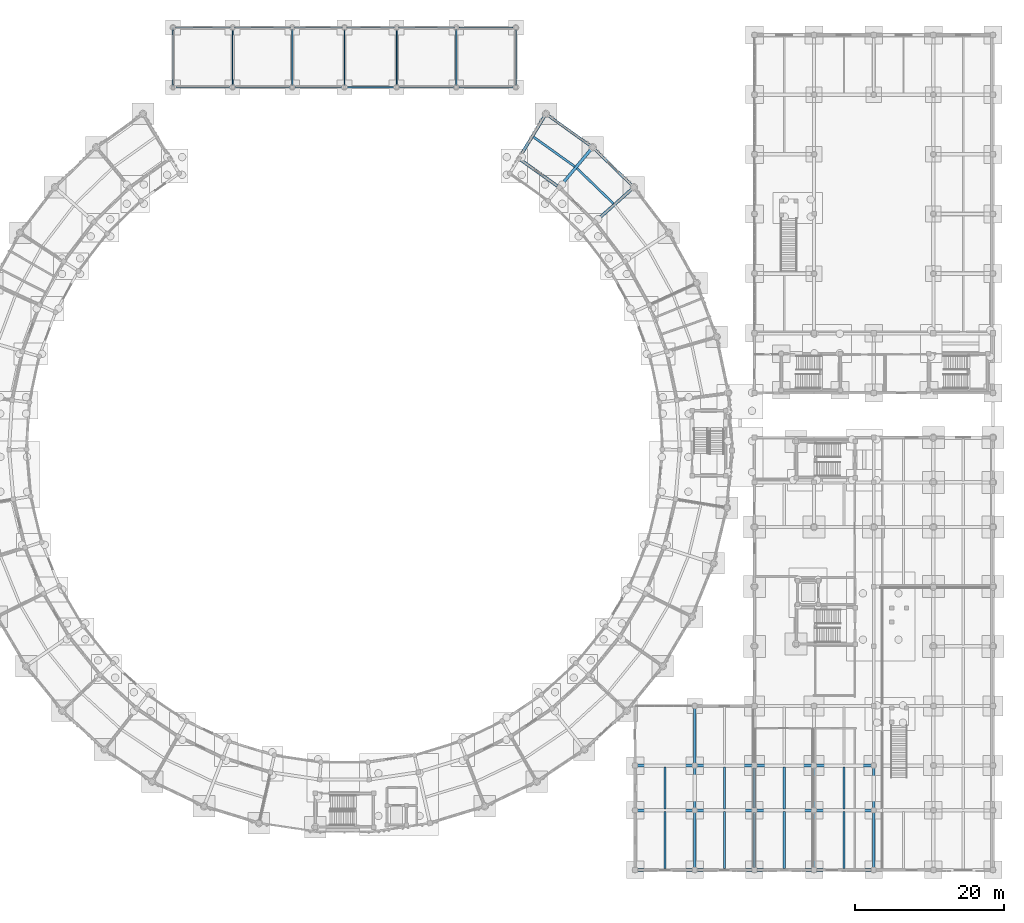
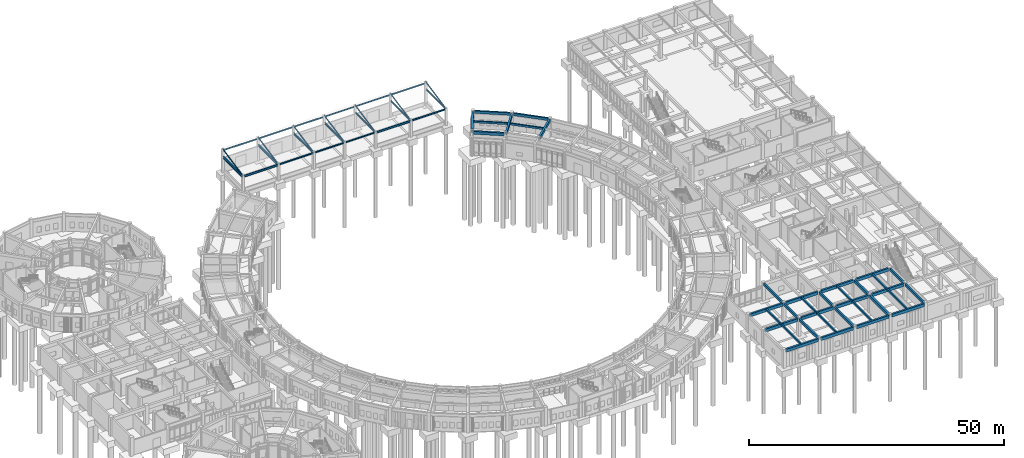
# One storey, part 82 of 153: 56 beams, 7 members.
"""IFC4 building model written with IfcOpenShell, lengths in metres."""

import ifcopenshell
import ifcopenshell.guid

model = None  # the IFC model being written
_history = None  # IfcOwnerHistory: only IFC2X3 demands one
_inside = {}  # id of a spatial element -> (the spatial element, [elements in it])
_under = {}  # id of a project, library or spatial element -> (it, [spatial elements below it])
_declared = {}  # id of a project -> (the project, [libraries it declares])
_typed = {}  # id of a type object -> (the type object, [elements of that type])
_made_of = {}  # id of a material, layer set ... -> (it, [elements and type objects made of it])


def new_model(schema):
    """Start an empty IFC model of exactly this schema.

    Asked for "IFC4X3", IfcOpenShell would pick the latest addendum, in which some entities
    have other attributes; the version numbers below select the first issue.
    IFC2X3 requires an IfcOwnerHistory on every rooted entity: one is made here for all.
    """
    global model, _history
    if schema == "IFC4X3":
        model = ifcopenshell.file(schema_version=(4, 3, 0, 0))
    else:
        model = ifcopenshell.file(schema=schema)
    _inside.clear()
    _under.clear()
    _declared.clear()
    _typed.clear()
    _made_of.clear()
    _history = None
    if model.schema == "IFC2X3":
        org = make("IfcOrganization", Name="unknown")
        user = make(
            "IfcPersonAndOrganization",
            ThePerson=make("IfcPerson", FamilyName="unknown"),
            TheOrganization=org,
        )
        app = make(
            "IfcApplication",
            ApplicationDeveloper=org,
            Version="unknown",
            ApplicationFullName="unknown",
            ApplicationIdentifier="unknown",
        )
        _history = make(
            "IfcOwnerHistory",
            OwningUser=user,
            OwningApplication=app,
            ChangeAction="ADDED",
            CreationDate=0,
        )
    return model


def make(cls, **values):
    """One entity of the class cls with the attributes given. An attribute that is None is left unset."""
    return model.create_entity(
        cls, **{name: value for name, value in values.items() if value is not None}
    )


def rooted(cls, **values):
    """An entity with a GlobalId (a new one), such as an element, a storey or a relation."""
    return make(cls, GlobalId=ifcopenshell.guid.new(), OwnerHistory=_history, **values)


def si_unit(unit_type, name, prefix=None):
    """IfcSIUnit, for example si_unit("LENGTHUNIT", "METRE", prefix="MILLI")."""
    return make("IfcSIUnit", UnitType=unit_type, Prefix=prefix, Name=name)


def assignment(units):
    """IfcUnitAssignment: the units of a project."""
    return None if units is None else make("IfcUnitAssignment", Units=units)


def point(xyz):
    """IfcCartesianPoint."""
    return None if xyz is None else make("IfcCartesianPoint", Coordinates=xyz)


def direction(xyz):
    """IfcDirection."""
    return None if xyz is None else make("IfcDirection", DirectionRatios=xyz)


def frame(location, z_axis=None, x_axis=None):
    """IfcAxis2Placement3D, a coordinate frame: its origin and axes. An axis left out is left unset."""
    return make(
        "IfcAxis2Placement3D",
        Location=point(location),
        Axis=direction(z_axis),
        RefDirection=direction(x_axis),
    )


def frame_2d(location, x_axis=None):
    """IfcAxis2Placement2D, a coordinate frame in the plane: its origin and x axis."""
    return make(
        "IfcAxis2Placement2D", Location=point(location), RefDirection=direction(x_axis)
    )


def origin():
    """The frame at (0, 0, 0) with its axes left unset."""
    return frame((0.0, 0.0, 0.0))


def origin_2d():
    """The frame at (0, 0) in the plane with its x axis left unset."""
    return frame_2d((0.0, 0.0))


def place(relative_to, where):
    """IfcLocalPlacement: puts the frame where relative to a parent placement (None: the world)."""
    return make(
        "IfcLocalPlacement", PlacementRelTo=relative_to, RelativePlacement=where
    )


def context(
    kind, dimensions, precision=None, world=None, true_north=None, identifier=None
):
    """IfcGeometricRepresentationContext, for example the 3D "Model" context."""
    return make(
        "IfcGeometricRepresentationContext",
        ContextIdentifier=identifier,
        ContextType=kind,
        CoordinateSpaceDimension=dimensions,
        Precision=precision,
        WorldCoordinateSystem=world,
        TrueNorth=true_north,
    )


def subcontext(parent, identifier, kind, view, scale=None):
    """IfcGeometricRepresentationSubContext, for example "Body" below "Model"."""
    return make(
        "IfcGeometricRepresentationSubContext",
        ContextIdentifier=identifier,
        ContextType=kind,
        ParentContext=parent,
        TargetScale=scale,
        TargetView=view,
    )


def project(units=None, contexts=None):
    """IfcProject with its units and contexts."""
    return rooted(
        "IfcProject",
        Name="project",
        RepresentationContexts=contexts,
        UnitsInContext=assignment(units),
    )


def spatial(cls, under=None, at=None, **own):
    """A site, building, storey or space (cls), placed at a placement, below another one or the project."""
    s = rooted(cls, ObjectPlacement=at, **own)
    if under is not None:
        _under.setdefault(under.id(), (under, []))[1].append(s)
    return s


def profile(cls, at=None, kind="AREA", **sizes):
    """A parametric profile (cls). Its sizes go by their IFC names, for example OverallWidth=200.0."""
    return make(cls, ProfileType=kind, Position=at, **sizes)


def rectangle(**sizes):
    """IfcRectangleProfileDef."""
    return profile("IfcRectangleProfileDef", **sizes)


def i_section(**sizes):
    """IfcIShapeProfileDef."""
    return profile("IfcIShapeProfileDef", **sizes)


def extrude(swept, where, along, depth):
    """IfcExtrudedAreaSolid: the profile swept, set in the frame where, extruded along a direction by depth."""
    return make(
        "IfcExtrudedAreaSolid",
        SweptArea=swept,
        Position=where,
        ExtrudedDirection=direction(along),
        Depth=depth,
    )


def shape(context_of_items, identifier, shape_type, items):
    """IfcShapeRepresentation: the items that make up one representation, for example the "Body"."""
    return make(
        "IfcShapeRepresentation",
        ContextOfItems=context_of_items,
        RepresentationIdentifier=identifier,
        RepresentationType=shape_type,
        Items=items,
    )


def material(Name=None, Category=None):
    """IfcMaterial."""
    return make("IfcMaterial", Name=Name, Category=Category)


def material_profile(
    of_material, cross_section, Name=None, Category=None, Priority=None
):
    """IfcMaterialProfile: a cross section and its material."""
    return make(
        "IfcMaterialProfile",
        Name=Name,
        Material=of_material,
        Profile=cross_section,
        Priority=Priority,
        Category=Category,
    )


def profile_set(profiles, Name=None, composite=None):
    """IfcMaterialProfileSet."""
    return make(
        "IfcMaterialProfileSet",
        Name=Name,
        MaterialProfiles=profiles,
        CompositeProfile=composite,
    )


def made_of(thing, what):
    """Note that an element or type object is made of a material, layer set ...; save() writes the relation."""
    if what is not None:
        _made_of.setdefault(what.id(), (what, []))[1].append(thing)
    return thing


def type_object(cls, material=None, **own):
    """A type object (cls), such as IfcWallType, which elements share."""
    return made_of(rooted(cls, **own), material)


def element(
    cls,
    number,
    at=None,
    inside=None,
    cuts=None,
    type_object=None,
    material=None,
    context=None,
    identifier="Body",
    shape_type=None,
    held_by="IfcProductDefinitionShape",
    body=None,
    shapes=None,
    **own,
):
    """One element of the class cls, such as IfcWall. Its Tag is "e" and its number.

    at: its placement. inside: the storey or other place that contains it. cuts: it is an
    opening in that element (IfcRelVoidsElement). A single representation is given by context,
    identifier, shape_type and body (its items); several are given by shapes. held_by: the class
    of the entity that holds the representations. save() writes the other relations.
    """
    e = rooted(cls, Tag="e%d" % number, ObjectPlacement=at, **own)
    if body is not None:
        shapes = [shape(context, identifier, shape_type, body)]
    if shapes is not None:
        e.Representation = make(held_by, Representations=shapes)
    if inside is not None:
        _inside.setdefault(inside.id(), (inside, []))[1].append(e)
    if cuts is not None:
        rooted(
            "IfcRelVoidsElement", RelatingBuildingElement=cuts, RelatedOpeningElement=e
        )
    if type_object is not None:
        _typed.setdefault(type_object.id(), (type_object, []))[1].append(e)
    return made_of(e, material)


def aggregate(whole, parts):
    """IfcRelAggregates: a whole, such as a stair, and the parts it consists of."""
    return rooted("IfcRelAggregates", RelatingObject=whole, RelatedObjects=parts)


def save(model, path):
    """Write the relations noted so far, then the file.

    IfcRelAggregates (storeys below a building ...), IfcRelContainedInSpatialStructure (elements
    in a storey), IfcRelDefinesByType, IfcRelAssociatesMaterial and IfcRelDeclares: one each for
    every whole, place, type object, material and project.
    """
    for whole, parts in _under.values():
        aggregate(whole, parts)
    for where, things in _inside.values():
        rooted(
            "IfcRelContainedInSpatialStructure",
            RelatedElements=things,
            RelatingStructure=where,
        )
    for kind, things in _typed.values():
        rooted("IfcRelDefinesByType", RelatedObjects=things, RelatingType=kind)
    for what, things in _made_of.values():
        rooted("IfcRelAssociatesMaterial", RelatedObjects=things, RelatingMaterial=what)
    for by, libraries in _declared.values():
        rooted("IfcRelDeclares", RelatingContext=by, RelatedDefinitions=libraries)
    model.write(path)


model = new_model("IFC4")

# Units and contexts
model_context = context("Model", 3, precision=1e-05, world=origin(), true_north=direction((0.0, 1.0)))
body_context = subcontext(model_context, "Body", "Model", "MODEL_VIEW")
ifc_project = project(units=[si_unit("LENGTHUNIT", "METRE"), si_unit("AREAUNIT", "SQUARE_METRE"), si_unit("VOLUMEUNIT", "CUBIC_METRE"), si_unit("PLANEANGLEUNIT", "RADIAN"), si_unit("MASSUNIT", "GRAM", prefix="KILO")], contexts=[model_context])

# Site, building, storey
site_placement = place(None, origin())
site = spatial("IfcSite", under=ifc_project, at=site_placement, CompositionType="ELEMENT")
building_placement = place(site_placement, origin())
building = spatial("IfcBuilding", under=site, at=building_placement, Name="Celadon Cloister-Ring School", CompositionType="ELEMENT")
storey_placement = place(building_placement, origin())
storey = spatial("IfcBuildingStorey", under=building, at=storey_placement, Name="L00", CompositionType="ELEMENT", Elevation=0.0)

# Beams
ifc_material_1 = material(Name="Concrete C35/45", Category="concrete")
ifc_material_profile_1 = material_profile(ifc_material_1, rectangle(XDim=0.39990234375, YDim=0.699951171875, at=origin_2d()), Name="RC400X700")
ifc_profile_set_1 = profile_set([ifc_material_profile_1], Name="Concrete C35/45")
beam_type_1 = type_object("IfcBeamType", Name="BT-01", PredefinedType="BEAM", material=ifc_profile_set_1)
beam_1_placement = place(storey_placement, frame((150.0, 2.300048828125, 3.929931640625), z_axis=(0.0, 1.0, 0.0), x_axis=(-1.0, 0.0, 0.0)))
element("IfcBeam", 1, at=beam_1_placement, inside=storey, type_object=beam_type_1, Name="Beam 1229", PredefinedType="BEAM", context=body_context, shape_type="SweptSolid", body=[
    extrude(rectangle(XDim=0.39990234375, YDim=0.699951171875, at=origin_2d()), origin(), (0.0, 0.0, 1.0), 7.39990234375),
])
beam_2_placement = place(storey_placement, frame((150.0, 10.300048828125, 3.929931640625), z_axis=(0.0, 1.0, 0.0), x_axis=(-1.0, 0.0, 0.0)))
element("IfcBeam", 2, at=beam_2_placement, inside=storey, type_object=beam_type_1, Name="Beam 1230", PredefinedType="BEAM", context=body_context, shape_type="SweptSolid", body=[
    extrude(rectangle(XDim=0.39990234375, YDim=0.699951171875, at=origin_2d()), origin(), (0.0, 0.0, 1.0), 5.39990234375),
])
ifc_material_2 = material(Name="Concrete C35/45", Category="concrete")
ifc_material_profile_2 = material_profile(ifc_material_2, rectangle(XDim=0.35009765625, YDim=0.60009765625, at=origin_2d()), Name="RC350X600")
ifc_profile_set_2 = profile_set([ifc_material_profile_2], Name="Concrete C35/45")
beam_type_2 = type_object("IfcBeamType", Name="BT-02", PredefinedType="BEAM", material=ifc_profile_set_2)
beam_3_placement = place(storey_placement, frame((134.0, 2.300048828125, 3.97998046875), z_axis=(0.0, 1.0, 0.0), x_axis=(-1.0, 0.0, 0.0)))
element("IfcBeam", 3, at=beam_3_placement, inside=storey, type_object=beam_type_2, Name="Beam 1218", PredefinedType="BEAM", context=body_context, shape_type="SweptSolid", body=[
    extrude(rectangle(XDim=0.35009765625, YDim=0.60009765625, at=origin_2d()), origin(), (0.0, 0.0, 1.0), 7.39990234375),
])
beam_4_placement = place(storey_placement, frame((134.0, 10.300048828125, 3.97998046875), z_axis=(0.0, 1.0, 0.0), x_axis=(-1.0, 0.0, 0.0)))
element("IfcBeam", 4, at=beam_4_placement, inside=storey, type_object=beam_type_2, Name="Beam 1219", PredefinedType="BEAM", context=body_context, shape_type="SweptSolid", body=[
    extrude(rectangle(XDim=0.35009765625, YDim=0.60009765625, at=origin_2d()), origin(), (0.0, 0.0, 1.0), 5.39990234375),
])
for number, where, z_axis, x_axis, name in (
    (5, (134.0, 16.300048828125, 3.97998046875), (0.0, 1.0, 0.0), (-1.0, 0.0, 0.0), "Beam 1220"),
    (6, (142.0, 2.300048828125, 3.97998046875), (0.0, 1.0, 0.0), (-1.0, 0.0, 0.0), "Beam 1221"),
):
    element("IfcBeam", number, at=place(storey_placement, frame(where, z_axis=z_axis, x_axis=x_axis)), inside=storey, type_object=beam_type_2, Name=name, PredefinedType="BEAM", context=body_context, shape_type="SweptSolid", body=[
        extrude(rectangle(XDim=0.35009765625, YDim=0.60009765625, at=origin_2d()), origin(), (0.0, 0.0, 1.0), 7.39990234375),
    ])
beam_5_placement = place(storey_placement, frame((142.0, 10.300048828125, 3.97998046875), z_axis=(0.0, 1.0, 0.0), x_axis=(-1.0, 0.0, 0.0)))
element("IfcBeam", 7, at=beam_5_placement, inside=storey, type_object=beam_type_2, Name="Beam 1222", PredefinedType="BEAM", context=body_context, shape_type="SweptSolid", body=[
    extrude(rectangle(XDim=0.35009765625, YDim=0.60009765625, at=origin_2d()), origin(), (0.0, 0.0, 1.0), 5.39990234375),
])
beam_6_placement = place(storey_placement, frame((158.0, 2.300048828125, 3.97998046875), z_axis=(0.0, 1.0, 0.0), x_axis=(-1.0, 0.0, 0.0)))
element("IfcBeam", 8, at=beam_6_placement, inside=storey, type_object=beam_type_2, Name="Beam 1233", PredefinedType="BEAM", context=body_context, shape_type="SweptSolid", body=[
    extrude(rectangle(XDim=0.35009765625, YDim=0.60009765625, at=origin_2d()), origin(), (0.0, 0.0, 1.0), 7.39990234375),
])
beam_7_placement = place(storey_placement, frame((158.0, 10.300048828125, 3.97998046875), z_axis=(0.0, 1.0, 0.0), x_axis=(-1.0, 0.0, 0.0)))
element("IfcBeam", 9, at=beam_7_placement, inside=storey, type_object=beam_type_2, Name="Beam 1234", PredefinedType="BEAM", context=body_context, shape_type="SweptSolid", body=[
    extrude(rectangle(XDim=0.35009765625, YDim=0.60009765625, at=origin_2d()), origin(), (0.0, 0.0, 1.0), 5.39990234375),
])
ifc_material_3 = material(Name="Structural steel S355JR", Category="steel")
ifc_material_profile_3 = material_profile(ifc_material_3, i_section(OverallWidth=0.22802734375, OverallDepth=0.60302734375, WebThickness=0.010498046875, FlangeThickness=0.014892578125, at=origin_2d()), Name="W610X101")
ifc_profile_set_3 = profile_set([ifc_material_profile_3], Name="Structural steel S355JR")
beam_type_3 = type_object("IfcBeamType", Name="BT-03", PredefinedType="BEAM", material=ifc_profile_set_3)
beam_8_placement = place(storey_placement, frame((64.0, 107.199951171875, 3.698974609375), z_axis=(0.0, 1.0, 0.0), x_axis=(-1.0, 0.0, 0.0)))
element("IfcBeam", 10, at=beam_8_placement, inside=storey, type_object=beam_type_3, Name="Beam 1704", PredefinedType="BEAM", context=body_context, shape_type="SweptSolid", body=[
    extrude(i_section(OverallWidth=0.22802734375, OverallDepth=0.60302734375, WebThickness=0.010498046875, FlangeThickness=0.014892578125, at=origin_2d()), origin(), (0.0, 0.0, 1.0), 7.550048828125),
])
ifc_material_4 = material(Name="Structural steel S355JR", Category="steel")
ifc_material_profile_4 = material_profile(ifc_material_4, i_section(OverallWidth=0.208984375, OverallDepth=0.529052734375, WebThickness=0.009765625, FlangeThickness=0.01318359375, at=origin_2d()), Name="W530X74")
ifc_profile_set_4 = profile_set([ifc_material_profile_4], Name="Structural steel S355JR")
beam_type_4 = type_object("IfcBeamType", Name="BT-04", PredefinedType="BEAM", material=ifc_profile_set_4)
beam_9_placement = place(storey_placement, frame((72.0, 107.199951171875, 3.736083984375), z_axis=(0.0, 1.0, 0.0), x_axis=(-1.0, 0.0, 0.0)))
element("IfcBeam", 11, at=beam_9_placement, inside=storey, type_object=beam_type_4, Name="Beam 1707", PredefinedType="BEAM", context=body_context, shape_type="SweptSolid", body=[
    extrude(i_section(OverallWidth=0.208984375, OverallDepth=0.529052734375, WebThickness=0.009765625, FlangeThickness=0.01318359375, at=origin_2d()), origin(), (0.0, 0.0, 1.0), 7.60009765625),
])
ifc_material_5 = material(Name="Structural steel S355JR", Category="steel")
ifc_material_profile_5 = material_profile(ifc_material_5, i_section(OverallWidth=0.18994140625, OverallDepth=0.45703125, WebThickness=0.009033203125, FlangeThickness=0.014404296875, at=origin_2d()), Name="W460X74")
ifc_profile_set_5 = profile_set([ifc_material_profile_5], Name="Structural steel S355JR")
beam_type_5 = type_object("IfcBeamType", Name="BT-05", PredefinedType="BEAM", material=ifc_profile_set_5)
beam_10_placement = place(storey_placement, frame((80.0, 107.199951171875, 3.77197265625), z_axis=(0.0, 1.0, 0.0), x_axis=(-1.0, 0.0, 0.0)))
element("IfcBeam", 12, at=beam_10_placement, inside=storey, type_object=beam_type_5, Name="Beam 1710", PredefinedType="BEAM", context=body_context, shape_type="SweptSolid", body=[
    extrude(i_section(OverallWidth=0.18994140625, OverallDepth=0.45703125, WebThickness=0.009033203125, FlangeThickness=0.014404296875, at=origin_2d()), origin(), (0.0, 0.0, 1.0), 7.60009765625),
])
ifc_material_6 = material(Name="Structural steel S355JR", Category="steel")
ifc_material_profile_6 = material_profile(ifc_material_6, i_section(OverallWidth=0.177978515625, OverallDepth=0.406982421875, WebThickness=0.0078125, FlangeThickness=0.0126953125, at=origin_2d()), Name="W410X60")
ifc_profile_set_6 = profile_set([ifc_material_profile_6], Name="Structural steel S355JR")
beam_type_6 = type_object("IfcBeamType", Name="BT-06", PredefinedType="BEAM", material=ifc_profile_set_6)
beam_11_placement = place(storey_placement, frame((87.0, 107.199951171875, 3.7958984375), z_axis=(0.0, 1.0, 0.0), x_axis=(-1.0, 0.0, 0.0)))
element("IfcBeam", 13, at=beam_11_placement, inside=storey, type_object=beam_type_6, Name="Beam 1713", PredefinedType="BEAM", context=body_context, shape_type="SweptSolid", body=[
    extrude(i_section(OverallWidth=0.177978515625, OverallDepth=0.406982421875, WebThickness=0.0078125, FlangeThickness=0.0126953125, at=origin_2d()), origin(), (0.0, 0.0, 1.0), 7.550048828125),
])
ifc_material_7 = material(Name="Structural steel S355JR", Category="steel")
ifc_material_profile_7 = material_profile(ifc_material_7, i_section(OverallWidth=0.1708984375, OverallDepth=0.35498046875, WebThickness=0.007080078125, FlangeThickness=0.01171875, at=origin_2d()), Name="W360X51")
ifc_profile_set_7 = profile_set([ifc_material_profile_7], Name="Structural steel S355JR")
beam_type_7 = type_object("IfcBeamType", Name="BT-07", PredefinedType="BEAM", material=ifc_profile_set_7)
beam_12_placement = place(storey_placement, frame((94.0, 107.199951171875, 3.822021484375), z_axis=(0.0, 1.0, 0.0), x_axis=(-1.0, 0.0, 0.0)))
element("IfcBeam", 14, at=beam_12_placement, inside=storey, type_object=beam_type_7, Name="Beam 1716", PredefinedType="BEAM", context=body_context, shape_type="SweptSolid", body=[
    extrude(i_section(OverallWidth=0.1708984375, OverallDepth=0.35498046875, WebThickness=0.007080078125, FlangeThickness=0.01171875, at=origin_2d()), origin(), (0.0, 0.0, 1.0), 7.60009765625),
])
ifc_material_8 = material(Name="Structural steel S355JR", Category="steel")
ifc_material_profile_8 = material_profile(ifc_material_8, i_section(OverallWidth=0.1669921875, OverallDepth=0.31689453125, WebThickness=0.007568359375, FlangeThickness=0.01318359375, at=origin_2d()), Name="W310X52")
ifc_profile_set_8 = profile_set([ifc_material_profile_8], Name="Structural steel S355JR")
beam_type_8 = type_object("IfcBeamType", Name="BT-08", PredefinedType="BEAM", material=ifc_profile_set_8)
beam_13_placement = place(storey_placement, frame((102.0, 107.199951171875, 3.841064453125), z_axis=(0.0, 1.0, 0.0), x_axis=(-1.0, 0.0, 0.0)))
element("IfcBeam", 15, at=beam_13_placement, inside=storey, type_object=beam_type_8, Name="Beam 1719", PredefinedType="BEAM", context=body_context, shape_type="SweptSolid", body=[
    extrude(i_section(OverallWidth=0.1669921875, OverallDepth=0.31689453125, WebThickness=0.007568359375, FlangeThickness=0.01318359375, at=origin_2d()), origin(), (0.0, 0.0, 1.0), 7.60009765625),
])
ifc_material_9 = material(Name="Structural steel S355JR", Category="steel")
ifc_material_profile_9 = material_profile(ifc_material_9, i_section(OverallWidth=0.1650390625, OverallDepth=0.31005859375, WebThickness=0.005859375, FlangeThickness=0.009765625, at=origin_2d()), Name="W310X39")
ifc_profile_set_9 = profile_set([ifc_material_profile_9], Name="Structural steel S355JR")
beam_type_9 = type_object("IfcBeamType", Name="BT-09", PredefinedType="BEAM", material=ifc_profile_set_9)
beam_14_placement = place(storey_placement, frame((110.0, 107.199951171875, 3.844970703125), z_axis=(0.0, 1.0, 0.0), x_axis=(-1.0, 0.0, 0.0)))
element("IfcBeam", 16, at=beam_14_placement, inside=storey, type_object=beam_type_9, Name="Beam 1720", PredefinedType="BEAM", context=body_context, shape_type="SweptSolid", body=[
    extrude(i_section(OverallWidth=0.1650390625, OverallDepth=0.31005859375, WebThickness=0.005859375, FlangeThickness=0.009765625, at=origin_2d()), origin(), (0.0, 0.0, 1.0), 7.550048828125),
])
ifc_material_10 = material(Name="Concrete C35/45", Category="concrete")
ifc_material_profile_10 = material_profile(ifc_material_10, rectangle(XDim=0.39990234375, YDim=0.699951171875, at=origin_2d()), Name="RC400X700")
ifc_profile_set_10 = profile_set([ifc_material_profile_10], Name="Concrete C35/45")
beam_type_10 = type_object("IfcBeamType", Name="GT-03", PredefinedType="USERDEFINED", material=ifc_profile_set_10)
beam_15_placement = place(storey_placement, frame((125.60791015625, 93.384033203125, 3.929931640625), z_axis=(-0.746775820792, -0.665075840398, 0.0), x_axis=(0.665075840398, -0.746775820792, 0.0)))
element("IfcBeam", 17, at=beam_15_placement, inside=storey, type_object=beam_type_10, Name="Beam 0063", ObjectType="GIRDER", PredefinedType="USERDEFINED", context=body_context, shape_type="SweptSolid", body=[
    extrude(rectangle(XDim=0.39990234375, YDim=0.699951171875, at=origin_2d()), origin(), (0.0, 0.0, 1.0), 6.4248046875),
])
beam_16_placement = place(storey_placement, frame((120.10498046875, 98.7109375, 3.929931640625), z_axis=(-0.640318943217, -0.768109140003, 0.0), x_axis=(0.768109140003, -0.640318943217, 0.0)))
element("IfcBeam", 18, at=beam_16_placement, inside=storey, type_object=beam_type_10, Name="Beam 0065", ObjectType="GIRDER", PredefinedType="USERDEFINED", context=body_context, shape_type="SweptSolid", body=[
    extrude(rectangle(XDim=0.39990234375, YDim=0.699951171875, at=origin_2d()), origin(), (0.0, 0.0, 1.0), 6.425048828125),
])
beam_17_placement = place(storey_placement, frame((113.875, 103.166015625, 3.929931640625), z_axis=(-0.519827607183, -0.854271185754, 0.0), x_axis=(0.854271185754, -0.519827607183, 0.0)))
element("IfcBeam", 19, at=beam_17_placement, inside=storey, type_object=beam_type_10, Name="Beam 0067", ObjectType="GIRDER", PredefinedType="USERDEFINED", context=body_context, shape_type="SweptSolid", body=[
    extrude(rectangle(XDim=0.39990234375, YDim=0.699951171875, at=origin_2d()), origin(), (0.0, 0.0, 1.0), 6.42529296875),
])
beam_18_placement = place(storey_placement, frame((115.591064453125, 93.72509765625, 3.929931640625), z_axis=(-0.813482549001, 0.581589324585, 0.0), x_axis=(-0.581589324585, -0.813482549001, 0.0)))
element("IfcBeam", 20, at=beam_18_placement, inside=storey, type_object=beam_type_10, Name="Beam 0196", ObjectType="GIRDER", PredefinedType="USERDEFINED", context=body_context, shape_type="SweptSolid", body=[
    extrude(rectangle(XDim=0.39990234375, YDim=0.699951171875, at=origin_2d()), origin(), (0.0, 0.0, 1.0), 6.11572265625),
])
for number, where, z_axis, x_axis, name in (
    (21, (126.300048828125, 2.0, 3.929931640625), (1.0, 0.0, 0.0), (0.0, 1.0, 0.0), "Beam 1181"),
    (22, (134.300048828125, 2.0, 3.929931640625), (1.0, 0.0, 0.0), (0.0, 1.0, 0.0), "Beam 1182"),
    (23, (142.300048828125, 2.0, 3.929931640625), (1.0, 0.0, 0.0), (0.0, 1.0, 0.0), "Beam 1183"),
    (24, (150.300048828125, 2.0, 3.929931640625), (1.0, 0.0, 0.0), (0.0, 1.0, 0.0), "Beam 1184"),
    (25, (126.300048828125, 10.0, 3.929931640625), (1.0, 0.0, 0.0), (0.0, 1.0, 0.0), "Beam 1187"),
    (26, (134.300048828125, 10.0, 3.929931640625), (1.0, 0.0, 0.0), (0.0, 1.0, 0.0), "Beam 1188"),
    (27, (142.300048828125, 10.0, 3.929931640625), (1.0, 0.0, 0.0), (0.0, 1.0, 0.0), "Beam 1189"),
    (28, (150.300048828125, 10.0, 3.929931640625), (1.0, 0.0, 0.0), (0.0, 1.0, 0.0), "Beam 1190"),
    (29, (126.300048828125, 16.0, 3.929931640625), (1.0, 0.0, 0.0), (0.0, 1.0, 0.0), "Beam 1193"),
    (30, (134.300048828125, 16.0, 3.929931640625), (1.0, 0.0, 0.0), (0.0, 1.0, 0.0), "Beam 1194"),
    (31, (142.300048828125, 16.0, 3.929931640625), (1.0, 0.0, 0.0), (0.0, 1.0, 0.0), "Beam 1195"),
    (32, (150.300048828125, 16.0, 3.929931640625), (1.0, 0.0, 0.0), (0.0, 1.0, 0.0), "Beam 1196"),
):
    element("IfcBeam", number, at=place(storey_placement, frame(where, z_axis=z_axis, x_axis=x_axis)), inside=storey, type_object=beam_type_10, Name=name, ObjectType="GIRDER", PredefinedType="USERDEFINED", context=body_context, shape_type="SweptSolid", body=[
        extrude(rectangle(XDim=0.39990234375, YDim=0.699951171875, at=origin_2d()), origin(), (0.0, 0.0, 1.0), 7.39990234375),
    ])
ifc_material_11 = material(Name="Concrete C35/45", Category="concrete")
ifc_material_profile_11 = material_profile(ifc_material_11, rectangle(XDim=0.300048828125, YDim=0.449951171875, at=origin_2d()), Name="RC300X450")
ifc_profile_set_11 = profile_set([ifc_material_profile_11], Name="Concrete C35/45")
beam_type_11 = type_object("IfcBeamType", Name="JT-01", PredefinedType="JOIST", material=ifc_profile_set_11)
beam_19_placement = place(storey_placement, frame((123.093017578125, 91.3779296875, 4.054931640625), z_axis=(-0.718568166396, 0.695456533683, 0.0), x_axis=(-0.695456533683, -0.718568166396, 0.0)))
element("IfcBeam", 33, at=beam_19_placement, inside=storey, type_object=beam_type_11, Name="Beam 0194", PredefinedType="JOIST", context=body_context, shape_type="SweptSolid", body=[
    extrude(rectangle(XDim=0.300048828125, YDim=0.449951171875, at=origin_2d()), origin(), (0.0, 0.0, 1.0), 6.834716796875),
])
beam_20_placement = place(storey_placement, frame((117.9140625, 96.35498046875, 4.054931640625), z_axis=(-0.813530711364, 0.581521952868, 0.0), x_axis=(-0.581521952868, -0.813530711364, 0.0)))
element("IfcBeam", 34, at=beam_20_placement, inside=storey, type_object=beam_type_11, Name="Beam 0198", PredefinedType="JOIST", context=body_context, shape_type="SweptSolid", body=[
    extrude(rectangle(XDim=0.300048828125, YDim=0.449951171875, at=origin_2d()), origin(), (0.0, 0.0, 1.0), 6.835693359375),
])
beam_21_placement = place(storey_placement, frame((130.0, 2.175048828125, 4.054931640625), z_axis=(0.0, 1.0, 0.0), x_axis=(-1.0, 0.0, 0.0)))
element("IfcBeam", 35, at=beam_21_placement, inside=storey, type_object=beam_type_11, Name="Beam 1257", PredefinedType="JOIST", context=body_context, shape_type="SweptSolid", body=[
    extrude(rectangle(XDim=0.300048828125, YDim=0.449951171875, at=origin_2d()), origin(), (0.0, 0.0, 1.0), 7.64990234375),
])
beam_22_placement = place(storey_placement, frame((130.0, 10.175048828125, 4.054931640625), z_axis=(0.0, 1.0, 0.0), x_axis=(-1.0, 0.0, 0.0)))
element("IfcBeam", 36, at=beam_22_placement, inside=storey, type_object=beam_type_11, Name="Beam 1258", PredefinedType="JOIST", context=body_context, shape_type="SweptSolid", body=[
    extrude(rectangle(XDim=0.300048828125, YDim=0.449951171875, at=origin_2d()), origin(), (0.0, 0.0, 1.0), 5.64990234375),
])
beam_23_placement = place(storey_placement, frame((138.0, 2.175048828125, 4.054931640625), z_axis=(0.0, 1.0, 0.0), x_axis=(-1.0, 0.0, 0.0)))
element("IfcBeam", 37, at=beam_23_placement, inside=storey, type_object=beam_type_11, Name="Beam 1259", PredefinedType="JOIST", context=body_context, shape_type="SweptSolid", body=[
    extrude(rectangle(XDim=0.300048828125, YDim=0.449951171875, at=origin_2d()), origin(), (0.0, 0.0, 1.0), 7.64990234375),
])
beam_24_placement = place(storey_placement, frame((138.0, 10.175048828125, 4.054931640625), z_axis=(0.0, 1.0, 0.0), x_axis=(-1.0, 0.0, 0.0)))
element("IfcBeam", 38, at=beam_24_placement, inside=storey, type_object=beam_type_11, Name="Beam 1260", PredefinedType="JOIST", context=body_context, shape_type="SweptSolid", body=[
    extrude(rectangle(XDim=0.300048828125, YDim=0.449951171875, at=origin_2d()), origin(), (0.0, 0.0, 1.0), 5.64990234375),
])
beam_25_placement = place(storey_placement, frame((146.0, 2.175048828125, 4.054931640625), z_axis=(0.0, 1.0, 0.0), x_axis=(-1.0, 0.0, 0.0)))
element("IfcBeam", 39, at=beam_25_placement, inside=storey, type_object=beam_type_11, Name="Beam 1262", PredefinedType="JOIST", context=body_context, shape_type="SweptSolid", body=[
    extrude(rectangle(XDim=0.300048828125, YDim=0.449951171875, at=origin_2d()), origin(), (0.0, 0.0, 1.0), 7.64990234375),
])
beam_26_placement = place(storey_placement, frame((146.0, 10.175048828125, 4.054931640625), z_axis=(0.0, 1.0, 0.0), x_axis=(-1.0, 0.0, 0.0)))
element("IfcBeam", 40, at=beam_26_placement, inside=storey, type_object=beam_type_11, Name="Beam 1263", PredefinedType="JOIST", context=body_context, shape_type="SweptSolid", body=[
    extrude(rectangle(XDim=0.300048828125, YDim=0.449951171875, at=origin_2d()), origin(), (0.0, 0.0, 1.0), 5.64990234375),
])
beam_27_placement = place(storey_placement, frame((154.0, 2.175048828125, 4.054931640625), z_axis=(0.0, 1.0, 0.0), x_axis=(-1.0, 0.0, 0.0)))
element("IfcBeam", 41, at=beam_27_placement, inside=storey, type_object=beam_type_11, Name="Beam 1266", PredefinedType="JOIST", context=body_context, shape_type="SweptSolid", body=[
    extrude(rectangle(XDim=0.300048828125, YDim=0.449951171875, at=origin_2d()), origin(), (0.0, 0.0, 1.0), 7.64990234375),
])
beam_28_placement = place(storey_placement, frame((154.0, 10.175048828125, 4.054931640625), z_axis=(0.0, 1.0, 0.0), x_axis=(-1.0, 0.0, 0.0)))
element("IfcBeam", 42, at=beam_28_placement, inside=storey, type_object=beam_type_11, Name="Beam 1267", PredefinedType="JOIST", context=body_context, shape_type="SweptSolid", body=[
    extrude(rectangle(XDim=0.300048828125, YDim=0.449951171875, at=origin_2d()), origin(), (0.0, 0.0, 1.0), 5.64990234375),
])

# Members
ifc_material_12 = material(Name="Structural steel S355JR", Category="steel")
ifc_material_profile_12 = material_profile(ifc_material_12, i_section(OverallWidth=0.14599609375, OverallDepth=0.258056640625, WebThickness=0.006103515625, FlangeThickness=0.009033203125, at=origin_2d()), Name="W250X33")
ifc_profile_set_12 = profile_set([ifc_material_profile_12], Name="Structural steel S355JR")
member_type = type_object("IfcMemberType", Name="MR-06", PredefinedType="RAFTER", material=ifc_profile_set_12)
for number, where, z_axis, x_axis, name in (
    (43, (64.0, 107.0, 3.89794921875), (0.0, 0.979864632986, 0.199662968581), (-1.0, 0.0, 0.0), "Structural Member 0620"),
    (44, (72.0, 107.0, 3.89794921875), (0.0, 0.979864632986, 0.199662968581), (-1.0, 0.0, 0.0), "Structural Member 0621"),
    (45, (80.0, 107.0, 3.89794921875), (0.0, 0.979864632986, 0.199662968581), (-1.0, 0.0, 0.0), "Structural Member 0622"),
    (46, (87.0, 107.0, 3.89794921875), (0.0, 0.979864632986, 0.199662968581), (-1.0, 0.0, 0.0), "Structural Member 0623"),
    (47, (94.0, 107.0, 3.89794921875), (0.0, 0.979864632986, 0.199662968581), (-1.0, 0.0, 0.0), "Structural Member 0624"),
    (48, (102.0, 107.0, 3.89794921875), (0.0, 0.979864632986, 0.199662968581), (-1.0, 0.0, 0.0), "Structural Member 0625"),
    (49, (110.0, 107.0, 3.89794921875), (0.0, 0.979864632986, 0.199662968581), (-1.0, 0.0, 0.0), "Structural Member 0626"),
):
    element("IfcMember", number, at=place(storey_placement, frame(where, z_axis=z_axis, x_axis=x_axis)), inside=storey, type_object=member_type, Name=name, PredefinedType="RAFTER", context=body_context, shape_type="SweptSolid", body=[
        extrude(i_section(OverallWidth=0.14599609375, OverallDepth=0.258056640625, WebThickness=0.006103515625, FlangeThickness=0.009033203125, at=origin_2d()), origin(), (0.0, 0.0, 1.0), 8.164306640625),
    ])

# Beams
ifc_material_13 = material(Name="Concrete C35/45", Category="concrete")
ifc_material_profile_13 = material_profile(ifc_material_13, rectangle(XDim=0.35009765625, YDim=0.60009765625, at=origin_2d()), Name="RC350X600")
ifc_profile_set_13 = profile_set([ifc_material_profile_13], Name="Concrete C35/45")
beam_type_12 = type_object("IfcBeamType", Name="SP-01", PredefinedType="SPANDREL", material=ifc_profile_set_13)
beam_29_placement = place(storey_placement, frame((125.615966796875, 93.79296875, 3.97998046875), z_axis=(-0.718563347937, 0.695461512236, 0.0), x_axis=(-0.695461512236, -0.718563347937, 0.0)))
element("IfcBeam", 50, at=beam_29_placement, inside=storey, type_object=beam_type_12, Name="Beam 0191", PredefinedType="SPANDREL", context=body_context, shape_type="SweptSolid", body=[
    extrude(rectangle(XDim=0.35009765625, YDim=0.60009765625, at=origin_2d()), origin(), (0.0, 0.0, 1.0), 7.101806640625),
])
beam_30_placement = place(storey_placement, frame((120.052978515625, 99.115966796875, 3.97998046875), z_axis=(-0.813473280121, 0.581602288965, 0.0), x_axis=(-0.581602288965, -0.813473280121, 0.0)))
element("IfcBeam", 51, at=beam_30_placement, inside=storey, type_object=beam_type_12, Name="Beam 0195", PredefinedType="SPANDREL", context=body_context, shape_type="SweptSolid", body=[
    extrude(rectangle(XDim=0.35009765625, YDim=0.60009765625, at=origin_2d()), origin(), (0.0, 0.0, 1.0), 7.10302734375),
])
ifc_material_14 = material(Name="Structural steel S355JR", Category="steel")
ifc_material_profile_14 = material_profile(ifc_material_14, i_section(OverallWidth=0.19189453125, OverallDepth=0.462890625, WebThickness=0.010498046875, FlangeThickness=0.017578125, at=origin_2d()), Name="W460X89")
ifc_profile_set_14 = profile_set([ifc_material_profile_14], Name="Structural steel S355JR")
beam_type_13 = type_object("IfcBeamType", Name="SP-03", PredefinedType="SPANDREL", material=ifc_profile_set_14)
for number, where, z_axis, x_axis, name in (
    (52, (64.199951171875, 107.0, 3.76806640625), (1.0, 0.0, 0.0), (0.0, 1.0, 0.0), "Beam 1702"),
    (53, (94.199951171875, 107.0, 3.76806640625), (1.0, 0.0, 0.0), (0.0, 1.0, 0.0), "Beam 1714"),
):
    element("IfcBeam", number, at=place(storey_placement, frame(where, z_axis=z_axis, x_axis=x_axis)), inside=storey, type_object=beam_type_13, Name=name, PredefinedType="SPANDREL", context=body_context, shape_type="SweptSolid", body=[
        extrude(i_section(OverallWidth=0.19189453125, OverallDepth=0.462890625, WebThickness=0.010498046875, FlangeThickness=0.017578125, at=origin_2d()), origin(), (0.0, 0.0, 1.0), 7.60009765625),
    ])
ifc_material_15 = material(Name="Structural steel S355JR", Category="steel")
ifc_material_profile_15 = material_profile(ifc_material_15, i_section(OverallWidth=0.1708984375, OverallDepth=0.35498046875, WebThickness=0.007080078125, FlangeThickness=0.01171875, at=origin_2d()), Name="W360X51")
ifc_profile_set_15 = profile_set([ifc_material_profile_15], Name="Structural steel S355JR")
beam_type_14 = type_object("IfcBeamType", Name="SP-04", PredefinedType="SPANDREL", material=ifc_profile_set_15)
for number, where, z_axis, x_axis, name in (
    (54, (72.199951171875, 107.0, 3.822021484375), (1.0, 0.0, 0.0), (0.0, 1.0, 0.0), "Beam 1705"),
    (55, (102.199951171875, 107.0, 3.822021484375), (1.0, 0.0, 0.0), (0.0, 1.0, 0.0), "Beam 1717"),
):
    element("IfcBeam", number, at=place(storey_placement, frame(where, z_axis=z_axis, x_axis=x_axis)), inside=storey, type_object=beam_type_14, Name=name, PredefinedType="SPANDREL", context=body_context, shape_type="SweptSolid", body=[
        extrude(i_section(OverallWidth=0.1708984375, OverallDepth=0.35498046875, WebThickness=0.007080078125, FlangeThickness=0.01171875, at=origin_2d()), origin(), (0.0, 0.0, 1.0), 7.60009765625),
    ])
ifc_material_16 = material(Name="Structural steel S355JR", Category="steel")
ifc_material_profile_16 = material_profile(ifc_material_16, i_section(OverallWidth=0.1669921875, OverallDepth=0.31689453125, WebThickness=0.007568359375, FlangeThickness=0.01318359375, at=origin_2d()), Name="W310X52")
ifc_profile_set_16 = profile_set([ifc_material_profile_16], Name="Structural steel S355JR")
beam_type_15 = type_object("IfcBeamType", Name="SP-05", PredefinedType="SPANDREL", material=ifc_profile_set_16)
beam_31_placement = place(storey_placement, frame((80.199951171875, 107.0, 3.841064453125), z_axis=(1.0, 0.0, 0.0), x_axis=(0.0, 1.0, 0.0)))
element("IfcBeam", 56, at=beam_31_placement, inside=storey, type_object=beam_type_15, Name="Beam 1708", PredefinedType="SPANDREL", context=body_context, shape_type="SweptSolid", body=[
    extrude(i_section(OverallWidth=0.1669921875, OverallDepth=0.31689453125, WebThickness=0.007568359375, FlangeThickness=0.01318359375, at=origin_2d()), origin(), (0.0, 0.0, 1.0), 6.60009765625),
])
ifc_material_17 = material(Name="Structural steel S355JR", Category="steel")
ifc_material_profile_17 = material_profile(ifc_material_17, i_section(OverallWidth=0.1650390625, OverallDepth=0.31005859375, WebThickness=0.005859375, FlangeThickness=0.009765625, at=origin_2d()), Name="W310X39")
ifc_profile_set_17 = profile_set([ifc_material_profile_17], Name="Structural steel S355JR")
beam_type_16 = type_object("IfcBeamType", Name="SP-06", PredefinedType="SPANDREL", material=ifc_profile_set_17)
beam_32_placement = place(storey_placement, frame((64.25, 115.0, 5.195068359375), z_axis=(1.0, 0.0, 0.0), x_axis=(0.0, 1.0, 0.0)))
element("IfcBeam", 57, at=beam_32_placement, inside=storey, type_object=beam_type_16, Name="Beam 1703", PredefinedType="SPANDREL", context=body_context, shape_type="SweptSolid", body=[
    extrude(i_section(OverallWidth=0.1650390625, OverallDepth=0.31005859375, WebThickness=0.005859375, FlangeThickness=0.009765625, at=origin_2d()), origin(), (0.0, 0.0, 1.0), 7.550048828125),
])
beam_33_placement = place(storey_placement, frame((72.199951171875, 115.0, 5.195068359375), z_axis=(1.0, 0.0, 0.0), x_axis=(0.0, 1.0, 0.0)))
element("IfcBeam", 58, at=beam_33_placement, inside=storey, type_object=beam_type_16, Name="Beam 1706", PredefinedType="SPANDREL", context=body_context, shape_type="SweptSolid", body=[
    extrude(i_section(OverallWidth=0.1650390625, OverallDepth=0.31005859375, WebThickness=0.005859375, FlangeThickness=0.009765625, at=origin_2d()), origin(), (0.0, 0.0, 1.0), 7.60009765625),
])
beam_34_placement = place(storey_placement, frame((80.199951171875, 115.0, 5.195068359375), z_axis=(1.0, 0.0, 0.0), x_axis=(0.0, 1.0, 0.0)))
element("IfcBeam", 59, at=beam_34_placement, inside=storey, type_object=beam_type_16, Name="Beam 1709", PredefinedType="SPANDREL", context=body_context, shape_type="SweptSolid", body=[
    extrude(i_section(OverallWidth=0.1650390625, OverallDepth=0.31005859375, WebThickness=0.005859375, FlangeThickness=0.009765625, at=origin_2d()), origin(), (0.0, 0.0, 1.0), 6.550048828125),
])
beam_35_placement = place(storey_placement, frame((87.199951171875, 107.0, 3.844970703125), z_axis=(1.0, 0.0, 0.0), x_axis=(0.0, 1.0, 0.0)))
element("IfcBeam", 60, at=beam_35_placement, inside=storey, type_object=beam_type_16, Name="Beam 1711", PredefinedType="SPANDREL", context=body_context, shape_type="SweptSolid", body=[
    extrude(i_section(OverallWidth=0.1650390625, OverallDepth=0.31005859375, WebThickness=0.005859375, FlangeThickness=0.009765625, at=origin_2d()), origin(), (0.0, 0.0, 1.0), 6.60009765625),
])
beam_36_placement = place(storey_placement, frame((87.25, 115.0, 5.195068359375), z_axis=(1.0, 0.0, 0.0), x_axis=(0.0, 1.0, 0.0)))
element("IfcBeam", 61, at=beam_36_placement, inside=storey, type_object=beam_type_16, Name="Beam 1712", PredefinedType="SPANDREL", context=body_context, shape_type="SweptSolid", body=[
    extrude(i_section(OverallWidth=0.1650390625, OverallDepth=0.31005859375, WebThickness=0.005859375, FlangeThickness=0.009765625, at=origin_2d()), origin(), (0.0, 0.0, 1.0), 6.550048828125),
])
beam_37_placement = place(storey_placement, frame((94.199951171875, 115.0, 5.195068359375), z_axis=(1.0, 0.0, 0.0), x_axis=(0.0, 1.0, 0.0)))
element("IfcBeam", 62, at=beam_37_placement, inside=storey, type_object=beam_type_16, Name="Beam 1715", PredefinedType="SPANDREL", context=body_context, shape_type="SweptSolid", body=[
    extrude(i_section(OverallWidth=0.1650390625, OverallDepth=0.31005859375, WebThickness=0.005859375, FlangeThickness=0.009765625, at=origin_2d()), origin(), (0.0, 0.0, 1.0), 7.60009765625),
])
beam_38_placement = place(storey_placement, frame((102.199951171875, 115.0, 5.195068359375), z_axis=(1.0, 0.0, 0.0), x_axis=(0.0, 1.0, 0.0)))
element("IfcBeam", 63, at=beam_38_placement, inside=storey, type_object=beam_type_16, Name="Beam 1718", PredefinedType="SPANDREL", context=body_context, shape_type="SweptSolid", body=[
    extrude(i_section(OverallWidth=0.1650390625, OverallDepth=0.31005859375, WebThickness=0.005859375, FlangeThickness=0.009765625, at=origin_2d()), origin(), (0.0, 0.0, 1.0), 7.550048828125),
])

save(model, "model.ifc")
